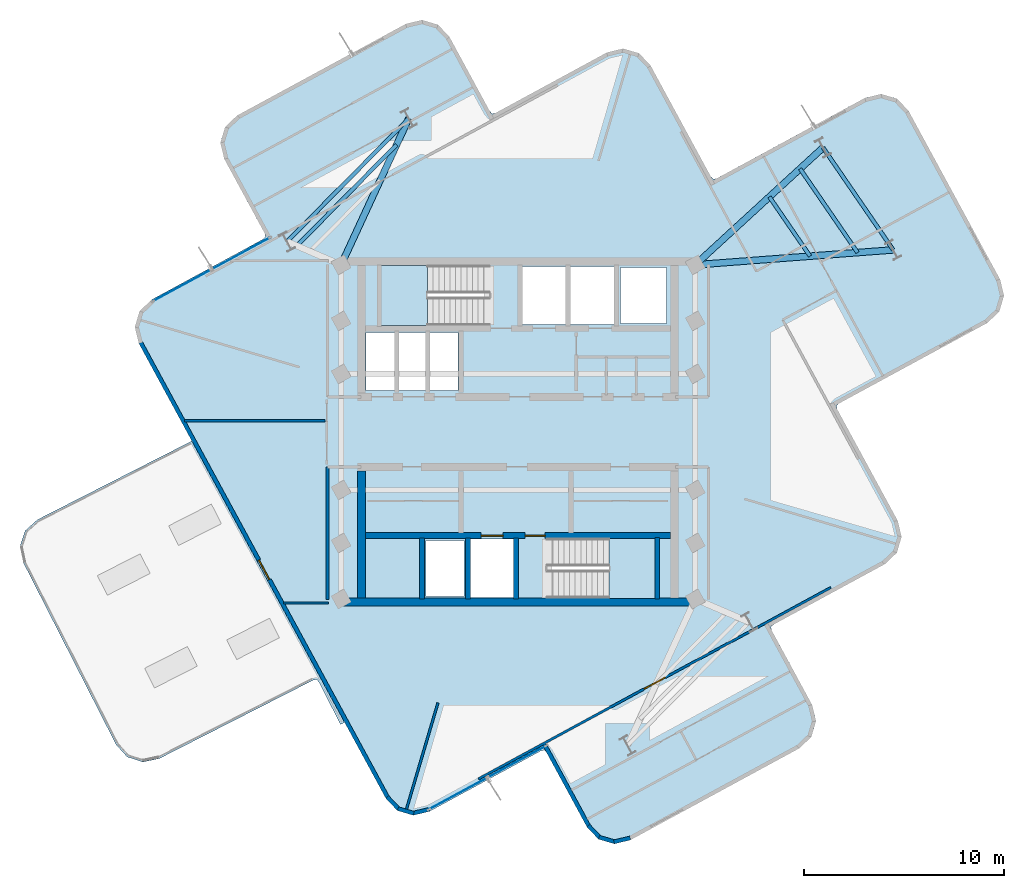
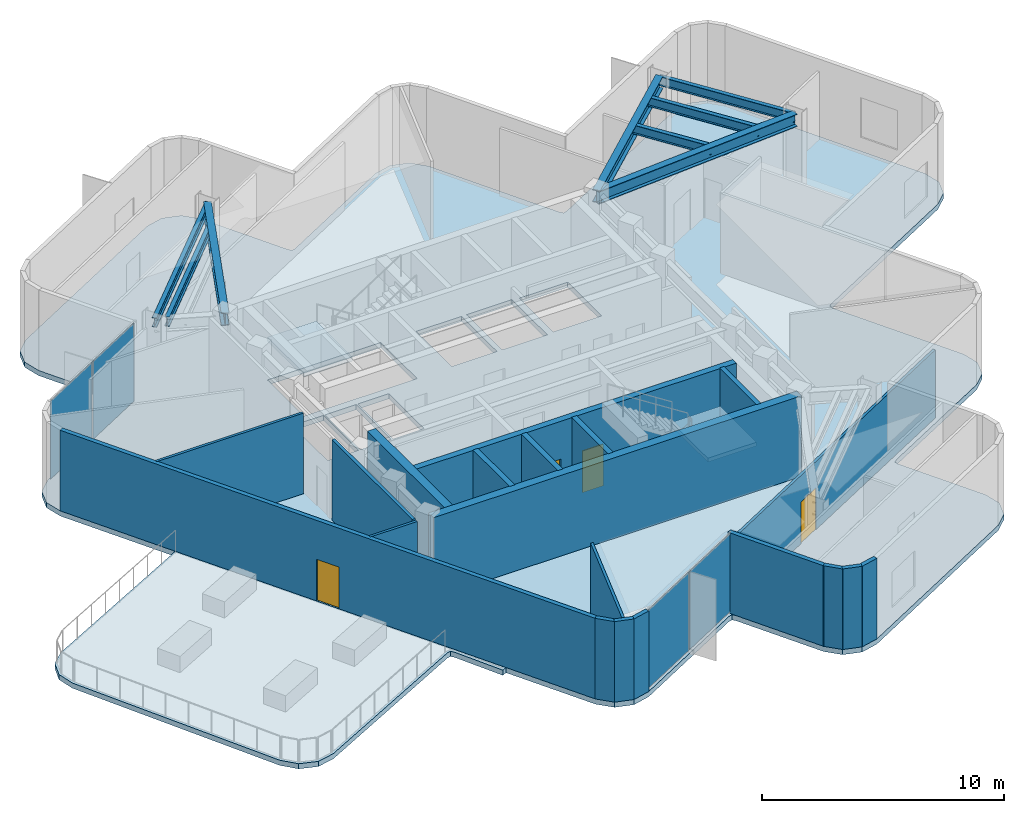
# One storey, part 3 of 10: 20 walls, 8 beams, 4 doors, 4 plates, 4 slabs, 4 openings, 4 elements without a shape of their own.
"""IFC4 building model written with IfcOpenShell, lengths in metres."""

from ifc_helpers import new_model, si_unit, direction, frame, frame_2d, origin, origin_2d, place, context, subcontext, project, spatial, polyline, rectangle, i_section, outline, extrude, material, layer, layer_set, material_profile, profile_set, type_object, element, fill, aggregate, save


model = new_model("IFC4")

# Units and contexts
model_context = context("Model", 3, precision=1e-05, world=origin(), true_north=direction((0.0, 1.0)))
body_context = subcontext(model_context, "Body", "Model", "MODEL_VIEW")
ifc_project = project(units=[si_unit("LENGTHUNIT", "METRE"), si_unit("AREAUNIT", "SQUARE_METRE"), si_unit("VOLUMEUNIT", "CUBIC_METRE"), si_unit("PLANEANGLEUNIT", "RADIAN"), si_unit("MASSUNIT", "GRAM", prefix="KILO")], contexts=[model_context])

# Site, building, storey
site_placement = place(None, origin())
site = spatial("IfcSite", under=ifc_project, at=site_placement, CompositionType="ELEMENT")
building_placement = place(site_placement, origin())
building = spatial("IfcBuilding", under=site, at=building_placement, Name="Solmarez Civic Tower", CompositionType="ELEMENT")
storey_placement = place(building_placement, frame((0.0, 0.0, 200.8798828125)))
storey = spatial("IfcBuildingStorey", under=building, at=storey_placement, Name="L53", CompositionType="ELEMENT", Elevation=200.8798828125)

# Beams
ifc_material_1 = material(Name="Steel S355", Category="steel")
ifc_material_profile_1 = material_profile(ifc_material_1, i_section(OverallWidth=0.19189453125, OverallDepth=0.462890625, WebThickness=0.010498046875, FlangeThickness=0.017578125, at=origin_2d()), Name="W18X60")
ifc_profile_set_1 = profile_set([ifc_material_profile_1], Name="Steel S355")
beam_type_1 = type_object("IfcBeamType", Name="BM-JS-W18X60", PredefinedType="JOIST", material=ifc_profile_set_1)
beam_1_placement = place(storey_placement, frame((18.740966796875, 9.096923828125, 3.828125), z_axis=(-0.565711253315, 0.824603406416, 0.0), x_axis=(-0.824603406416, -0.565711253315, 0.0)))
element("IfcBeam", 1, at=beam_1_placement, inside=storey, type_object=beam_type_1, Name="L53 Secondary Floor Joist BM-L53-EA-T1", PredefinedType="JOIST", context=body_context, shape_type="SweptSolid", body=[
    extrude(i_section(OverallWidth=0.19189453125, OverallDepth=0.462890625, WebThickness=0.010498046875, FlangeThickness=0.017578125, at=origin_2d()), origin(), (0.0, 0.0, 1.0), 6.199462890625),
])
beam_2_placement = place(storey_placement, frame((14.5869140625, 8.782958984375, 3.828125), z_axis=(-0.565666897805, 0.824633834334, 0.0), x_axis=(-0.824633834334, -0.565666897805, 0.0)))
element("IfcBeam", 2, at=beam_2_placement, inside=storey, type_object=beam_type_1, Name="L53 Secondary Floor Joist JS-L53-EA-M11", PredefinedType="JOIST", context=body_context, shape_type="SweptSolid", body=[
    extrude(i_section(OverallWidth=0.19189453125, OverallDepth=0.462890625, WebThickness=0.010498046875, FlangeThickness=0.017578125, at=origin_2d()), origin(), (0.0, 0.0, 1.0), 3.595703125),
])
beam_3_placement = place(storey_placement, frame((16.9609375, 8.962890625, 3.828125), z_axis=(-0.565800880521, 0.824541911367, 0.0), x_axis=(-0.824541911367, -0.565800880521, 0.0)))
element("IfcBeam", 3, at=beam_3_placement, inside=storey, type_object=beam_type_1, Name="L53 Secondary Floor Joist JS-L53-EA-M12", PredefinedType="JOIST", context=body_context, shape_type="SweptSolid", body=[
    extrude(i_section(OverallWidth=0.19189453125, OverallDepth=0.462890625, WebThickness=0.010498046875, FlangeThickness=0.017578125, at=origin_2d()), origin(), (0.0, 0.0, 1.0), 5.0830078125),
])
beam_4_placement = place(storey_placement, frame((-5.468017578125, 15.6708984375, 3.828125), z_axis=(-0.702766092364, -0.711420986072, 0.0), x_axis=(0.711420986072, -0.702766092364, 0.0)))
element("IfcBeam", 4, at=beam_4_placement, inside=storey, type_object=beam_type_1, Name="L53 Secondary Floor Joist BM-L53-NA-T1", PredefinedType="JOIST", context=body_context, shape_type="SweptSolid", body=[
    extrude(i_section(OverallWidth=0.19189453125, OverallDepth=0.462890625, WebThickness=0.010498046875, FlangeThickness=0.017578125, at=origin_2d()), origin(), (0.0, 0.0, 1.0), 8.659912109375),
])
beam_5_placement = place(storey_placement, frame((-6.076904296875, 14.35302734375, 3.828125), z_axis=(-0.702726827997, -0.711459770622, 0.0), x_axis=(0.711459770622, -0.702726827997, 0.0)))
element("IfcBeam", 5, at=beam_5_placement, inside=storey, type_object=beam_type_1, Name="L53 Secondary Floor Joist JS-L53-NA-M12", PredefinedType="JOIST", context=body_context, shape_type="SweptSolid", body=[
    extrude(i_section(OverallWidth=0.19189453125, OverallDepth=0.462890625, WebThickness=0.010498046875, FlangeThickness=0.017578125, at=origin_2d()), origin(), (0.0, 0.0, 1.0), 7.100830078125),
])
ifc_material_profile_2 = material_profile(ifc_material_1, i_section(OverallWidth=0.327880859375, OverallDepth=0.6220703125, WebThickness=0.015380859375, FlangeThickness=0.0244140625, at=origin_2d()), Name="W24X131")
ifc_profile_set_2 = profile_set([ifc_material_profile_2], Name="Steel S355")
beam_type_2 = type_object("IfcBeamType", Name="BM-PR-W24X131", PredefinedType="BEAM", material=ifc_profile_set_2)
beam_6_placement = place(storey_placement, frame((8.85009765625, 8.35009765625, 3.7490234375), z_axis=(0.997161506076, 0.075292302399, 0.0), x_axis=(-0.075292302399, 0.997161506076, 0.0)))
element("IfcBeam", 6, at=beam_6_placement, inside=storey, type_object=beam_type_2, Name="L53 Primary Floor Beam BM-L53-EA-R1A", PredefinedType="BEAM", context=body_context, shape_type="SweptSolid", body=[
    extrude(i_section(OverallWidth=0.327880859375, OverallDepth=0.6220703125, WebThickness=0.015380859375, FlangeThickness=0.0244140625, at=origin_2d()), origin(), (0.0, 0.0, 1.0), 9.9189453125),
])
beam_7_placement = place(storey_placement, frame((8.85009765625, 8.35009765625, 3.7490234375), z_axis=(0.736746995662, 0.676168517741, 0.0), x_axis=(-0.676168517741, 0.736746995662, 0.0)))
element("IfcBeam", 7, at=beam_7_placement, inside=storey, type_object=beam_type_2, Name="L53 Primary Floor Beam BM-L53-EA-R1B", PredefinedType="BEAM", context=body_context, shape_type="SweptSolid", body=[
    extrude(i_section(OverallWidth=0.327880859375, OverallDepth=0.6220703125, WebThickness=0.015380859375, FlangeThickness=0.0244140625, at=origin_2d()), origin(), (0.0, 0.0, 1.0), 8.664794921875),
])
beam_8_placement = place(storey_placement, frame((-8.85009765625, 8.35009765625, 3.7490234375), z_axis=(0.419390280967, 0.907806032273, 0.0), x_axis=(-0.907806032273, 0.419390280967, 0.0)))
element("IfcBeam", 8, at=beam_8_placement, inside=storey, type_object=beam_type_2, Name="L53 Primary Floor Beam BM-L53-NA-R1A", PredefinedType="BEAM", context=body_context, shape_type="SweptSolid", body=[
    extrude(i_section(OverallWidth=0.327880859375, OverallDepth=0.6220703125, WebThickness=0.015380859375, FlangeThickness=0.0244140625, at=origin_2d()), origin(), (0.0, 0.0, 1.0), 8.064208984375),
])

# Curtain wall, plates
ifc_material_2 = material(Name="Bronze Anodised Aluminium EN AW-6063 T6", Category="aluminium")
ifc_layer_1 = layer(ifc_material_2, 0.2099609375)
ifc_layer_set_1 = layer_set([ifc_layer_1], Name="Bronze Anodised Aluminium EN AW-6063 T6")
curtain_wall_type = type_object("IfcCurtainWallType", Name="CW-SYS-5", PredefinedType="NOTDEFINED", material=ifc_layer_set_1)
curtain_wall_1_placement = place(storey_placement, origin())
curtain_wall_1 = element("IfcCurtainWall", 9, at=curtain_wall_1_placement, inside=storey, type_object=curtain_wall_type, Name="L53 Stick-Built Curtain Wall 1", PredefinedType="NOTDEFINED")
ifc_material_3 = material(Name="Solar Control Low-E Laminated Vision Glass", Category="glass")
ifc_layer_2 = layer(ifc_material_3, 0.028076171875)
ifc_layer_set_2 = layer_set([ifc_layer_2], Name="Solar Control Low-E Laminated Vision Glass")
plate_type = type_object("IfcPlateType", Name="CWP-GLAZ-28", PredefinedType="CURTAIN_PANEL", material=ifc_layer_set_2)
plate_1_placement = place(storey_placement, frame((-0.069580078125, -16.480224609375, 0.06494140625), z_axis=(0.0, 0.0, 1.0), x_axis=(-0.878784114584, -0.477219530148, 0.0)))
plate_1 = element("IfcPlate", 10, at=plate_1_placement, type_object=plate_type, Name="CWS5 panel 1.1", PredefinedType="CURTAIN_PANEL", context=body_context, shape_type="SweptSolid", body=[
    extrude(rectangle(XDim=3.258056640625, YDim=0.028076171875, at=origin_2d()), origin(), (0.0, 0.0, 1.0), 3.929931640625),
])
plate_2_placement = place(storey_placement, frame((-2.99853515625, -18.07080078125, 0.06494140625), z_axis=(0.0, 0.0, 1.0), x_axis=(-0.878784114584, -0.477219530148, 0.0)))
plate_2 = element("IfcPlate", 11, at=plate_2_placement, type_object=plate_type, Name="CWS5 panel 2.1", PredefinedType="CURTAIN_PANEL", context=body_context, shape_type="SweptSolid", body=[
    extrude(rectangle(XDim=3.258056640625, YDim=0.028076171875, at=origin_2d()), origin(), (0.0, 0.0, 1.0), 3.929931640625),
])
aggregate(curtain_wall_1, [plate_1, plate_2])

curtain_wall_2_placement = place(storey_placement, origin())
curtain_wall_2 = element("IfcCurtainWall", 12, at=curtain_wall_2_placement, inside=storey, type_object=curtain_wall_type, Name="L53 Stick-Built Curtain Wall 2", PredefinedType="NOTDEFINED")
plate_3_placement = place(storey_placement, frame((-16.788330078125, 7.3271484375, 0.06494140625), z_axis=(0.0, 0.0, 1.0), x_axis=(0.878817891395, 0.47715732601, 0.0)))
plate_3 = element("IfcPlate", 13, at=plate_3_placement, type_object=plate_type, Name="CWS5 panel 1.1", PredefinedType="CURTAIN_PANEL", context=body_context, shape_type="SweptSolid", body=[
    extrude(rectangle(XDim=3.258544921875, YDim=0.028076171875, at=origin_2d()), origin(), (0.0, 0.0, 1.0), 3.929931640625),
])
plate_4_placement = place(storey_placement, frame((-13.858642578125, 8.917724609375, 0.06494140625), z_axis=(0.0, 0.0, 1.0), x_axis=(0.878817891395, 0.47715732601, 0.0)))
plate_4 = element("IfcPlate", 14, at=plate_4_placement, type_object=plate_type, Name="CWS5 panel 2.1", PredefinedType="CURTAIN_PANEL", context=body_context, shape_type="SweptSolid", body=[
    extrude(rectangle(XDim=3.258544921875, YDim=0.028076171875, at=origin_2d()), origin(), (0.0, 0.0, 1.0), 3.929931640625),
])
aggregate(curtain_wall_2, [plate_3, plate_4])

# Stair, slab
ifc_material_4 = material(Name="Concrete C50/60", Category="concrete")
stair_type = type_object("IfcStairType", Name="STAIR-DOGLEG-140W-24R-1800", PredefinedType="HALF_TURN_STAIR", material=ifc_material_4)
stair_1_placement = place(storey_placement, origin())
stair_1 = element("IfcStair", 15, at=stair_1_placement, inside=storey, type_object=stair_type, Name="L53 North Core Protected Exit Stair ST-1", PredefinedType="HALF_TURN_STAIR")
ifc_layer_3 = layer(ifc_material_4, 0.199951171875)
ifc_layer_set_3 = layer_set([ifc_layer_3], Name="Concrete C50/60")
slab_type_1 = type_object("IfcSlabType", Name="SLAB-LANDING-200", PredefinedType="LANDING", material=ifc_layer_set_3)
slab_1_placement = place(storey_placement, frame((0.0, 0.0, 1.960205078125)))
slab_1 = element("IfcSlab", 16, at=slab_1_placement, type_object=slab_type_1, Name="ST-1 landing 1", PredefinedType="LANDING", context=body_context, shape_type="SweptSolid", body=[
    extrude(outline(polyline([(-4.530029296875, 8.320068359375), (-6.85009765625, 8.320068359375), (-6.85009765625, 5.320068359375), (-4.530029296875, 5.320068359375), (-4.530029296875, 8.320068359375)])), origin(), (0.0, 0.0, 1.0), 0.199951171875),
])
aggregate(stair_1, [slab_1])

stair_2_placement = place(storey_placement, origin())
stair_2 = element("IfcStair", 17, at=stair_2_placement, inside=storey, type_object=stair_type, Name="L53 South Core Protected Exit Stair ST-2", PredefinedType="HALF_TURN_STAIR")
slab_2_placement = place(storey_placement, frame((0.0, 0.0, 1.960205078125)))
slab_2 = element("IfcSlab", 18, at=slab_2_placement, type_object=slab_type_1, Name="ST-2 landing 1", PredefinedType="LANDING", context=body_context, shape_type="SweptSolid", body=[
    extrude(outline(polyline([(4.530029296875, -8.320068359375), (6.85009765625, -8.320068359375), (6.85009765625, -5.320068359375), (4.530029296875, -5.320068359375), (4.530029296875, -8.320068359375)])), origin(), (0.0, 0.0, 1.0), 0.199951171875),
])
aggregate(stair_2, [slab_2])

# Slabs
ifc_layer_4 = layer(ifc_material_4, 0.260009765625)
ifc_layer_set_4 = layer_set([ifc_layer_4], Name="Concrete C50/60")
slab_type_2 = type_object("IfcSlabType", Name="SLAB-TOWER-260", PredefinedType="FLOOR", material=ifc_layer_set_4)
slab_3_placement = place(storey_placement, frame((0.0, 0.0, -0.259765625)))
element("IfcSlab", 19, at=slab_3_placement, inside=storey, type_object=slab_type_2, Name="L53 Structural Slab", PredefinedType="FLOOR", context=body_context, shape_type="SweptSolid", body=[
    extrude(outline(polyline([(1.4189453125, -16.02587890625), (3.44189453125, -19.7509765625), (4.011962890625, -20.35205078125), (4.805908203125, -20.5869140625), (5.611083984375, -20.39404296875), (14.048095703125, -15.81298828125), (14.64892578125, -15.242919921875), (14.884033203125, -14.448974609375), (14.68994140625, -13.64404296875), (12.66796875, -9.91796875), (12.626953125, -9.7509765625), (12.751953125, -9.632080078125), (18.322998046875, -6.60791015625), (18.924072265625, -6.037109375), (19.158935546875, -5.242919921875), (18.966064453125, -4.43798828125), (15.94091796875, 1.133056640625), (15.90087890625, 1.300048828125), (16.02587890625, 1.4189453125), (23.44189453125, 5.446044921875), (24.04296875, 6.01611328125), (24.278076171875, 6.81005859375), (24.0849609375, 7.614990234375), (19.50390625, 16.052001953125), (18.93408203125, 16.653076171875), (18.139892578125, 16.887939453125), (17.3349609375, 16.695068359375), (9.91796875, 12.66796875), (9.7509765625, 12.626953125), (9.632080078125, 12.751953125), (6.60791015625, 18.322998046875), (6.037109375, 18.924072265625), (5.242919921875, 19.158935546875), (4.43798828125, 18.966064453125), (-1.133056640625, 15.94091796875), (-1.300048828125, 15.90087890625), (-1.4189453125, 16.02587890625), (-3.44189453125, 19.7509765625), (-4.011962890625, 20.35205078125), (-4.805908203125, 20.5869140625), (-5.611083984375, 20.39404296875), (-14.048095703125, 15.81298828125), (-14.64892578125, 15.242919921875), (-14.884033203125, 14.448974609375), (-14.68994140625, 13.64404296875), (-12.66796875, 9.91796875), (-12.626953125, 9.7509765625), (-12.751953125, 9.632080078125), (-18.322998046875, 6.60791015625), (-18.924072265625, 6.037109375), (-19.158935546875, 5.242919921875), (-18.966064453125, 4.43798828125), (-6.60791015625, -18.322998046875), (-6.037109375, -18.924072265625), (-5.242919921875, -19.158935546875), (-4.43798828125, -18.966064453125), (1.133056640625, -15.94091796875), (1.300048828125, -15.90087890625), (1.4189453125, -16.02587890625)]), holes=[polyline([(-1.449951171875, 8.320068359375), (-6.85009765625, 8.320068359375), (-6.85009765625, 5.320068359375), (-1.449951171875, 5.320068359375), (-1.449951171875, 8.320068359375)]), polyline([(1.449951171875, -8.320068359375), (6.85009765625, -8.320068359375), (6.85009765625, -5.320068359375), (1.449951171875, -5.320068359375), (1.449951171875, -8.320068359375)]), polyline([(0.219970703125, 5.360107421875), (2.3798828125, 5.360107421875), (2.3798828125, 8.280029296875), (0.219970703125, 8.280029296875), (0.219970703125, 5.360107421875)]), polyline([(2.6201171875, 5.360107421875), (4.780029296875, 5.360107421875), (4.780029296875, 8.280029296875), (2.6201171875, 8.280029296875), (2.6201171875, 5.360107421875)]), polyline([(-2.3798828125, -8.280029296875), (-0.219970703125, -8.280029296875), (-0.219970703125, -5.360107421875), (-2.3798828125, -5.360107421875), (-2.3798828125, -8.280029296875)]), polyline([(-7.60009765625, 2.06005859375), (-6.1201171875, 2.06005859375), (-6.1201171875, 4.9599609375), (-7.60009765625, 4.9599609375), (-7.60009765625, 2.06005859375)]), polyline([(-6.0400390625, 2.06005859375), (-4.56005859375, 2.06005859375), (-4.56005859375, 4.9599609375), (-6.0400390625, 4.9599609375), (-6.0400390625, 2.06005859375)]), polyline([(-4.47998046875, 2.06005859375), (-3.0, 2.06005859375), (-3.0, 4.9599609375), (-4.47998046875, 4.9599609375), (-4.47998046875, 2.06005859375)]), polyline([(5.10009765625, 5.419921875), (7.39990234375, 5.419921875), (7.39990234375, 8.219970703125), (5.10009765625, 8.219970703125), (5.10009765625, 5.419921875)]), polyline([(-4.60009765625, -8.219970703125), (-2.699951171875, -8.219970703125), (-2.699951171875, -5.419921875), (-4.60009765625, -5.419921875), (-4.60009765625, -8.219970703125)])]), origin(), (0.0, 0.0, 1.0), 0.259765625),
])
slab_4_placement = place(storey_placement, frame((0.0, 0.0, -0.259765625)))
element("IfcSlab", 20, at=slab_4_placement, inside=storey, type_object=slab_type_2, Name="L53 West-Arm Public Botanical Sky Garden Deck", PredefinedType="FLOOR", context=body_context, shape_type="SweptSolid", body=[
    extrude(outline(polyline([(-10.24609375, -12.404052734375), (-10.077880859375, -12.367919921875), (-9.962890625, -12.49609375), (-8.8779296875, -14.625), (-8.674072265625, -14.52099609375), (-16.31396484375, -0.449951171875), (-16.330078125, -0.464111328125), (-24.027099609375, -4.385986328125), (-24.64306640625, -4.94091796875), (-24.89892578125, -5.72802734375), (-24.72705078125, -6.5380859375), (-20.095947265625, -15.626953125), (-19.5419921875, -16.241943359375), (-18.75390625, -16.498046875), (-17.944091796875, -16.325927734375), (-10.24609375, -12.404052734375)])), origin(), (0.0, 0.0, 1.0), 0.259765625),
])

# Walls
ifc_layer_5 = layer(ifc_material_4, 0.39990234375)
ifc_layer_set_5 = layer_set([ifc_layer_5], Name="Concrete C50/60")
wall_type_1 = type_object("IfcWallType", Name="WALL-CORE-400", PredefinedType="SHEAR", material=ifc_layer_set_5)
wall_1_placement = place(storey_placement, frame((8.780029296875, -8.510009765625, 0.0), z_axis=(0.0, 0.0, 1.0), x_axis=(-1.0, 0.0, 0.0)))
element("IfcWall", 21, at=wall_1_placement, inside=storey, type_object=wall_type_1, Name="L53 Split-Core Structural Wall SCW-S-L53", PredefinedType="SHEAR", context=body_context, shape_type="SweptSolid", body=[
    extrude(rectangle(XDim=17.56005859375, YDim=0.39990234375, at=frame_2d((8.780029296875, 0.0))), origin(), (0.0, 0.0, 1.0), 4.06005859375),
])
wall_2_placement = place(storey_placement, frame((-7.820068359375, -8.31005859375, 0.0), z_axis=(0.0, 0.0, 1.0), x_axis=(0.0, 1.0, 0.0)))
element("IfcWall", 22, at=wall_2_placement, inside=storey, type_object=wall_type_1, Name="L53 Split-Core Structural Wall SCW-W-L53", PredefinedType="SHEAR", context=body_context, shape_type="SweptSolid", body=[
    extrude(rectangle(XDim=6.360107421875, YDim=0.39990234375, at=frame_2d((3.18017578125, 0.0))), origin(), (0.0, 0.0, 1.0), 4.06005859375),
])
ifc_material_5 = material(Name="Precast concrete C40/50", Category="concrete")
ifc_layer_6 = layer(ifc_material_5, 0.199951171875)
ifc_layer_set_6 = layer_set([ifc_layer_6], Name="Precast concrete C40/50")
wall_type_2 = type_object("IfcWallType", Name="WALL-EXT-200", PredefinedType="SOLIDWALL", material=ifc_layer_set_6)
wall_3_placement = place(storey_placement, frame((-4.449951171875, -18.865966796875, 0.0), z_axis=(0.0, 0.0, 1.0), x_axis=(-0.972262900219, -0.233890685703, 0.0)))
element("IfcWall", 23, at=wall_3_placement, inside=storey, type_object=wall_type_2, Name="L53 Exterior Precast Wall 3", PredefinedType="SOLIDWALL", context=body_context, shape_type="SweptSolid", body=[
    extrude(rectangle(XDim=0.838134765625, YDim=0.199951171875, at=frame_2d((0.4189453125, 0.0))), origin(), (0.0, 0.0, 1.0), 4.06005859375),
])
wall_4_placement = place(storey_placement, frame((-5.217041015625, -19.06298828125, 0.0), z_axis=(0.0, 0.0, 1.0), x_axis=(-0.958863850972, 0.283866368736, 0.0)))
element("IfcWall", 24, at=wall_4_placement, inside=storey, type_object=wall_type_2, Name="L53 Exterior Precast Wall 4", PredefinedType="SOLIDWALL", context=body_context, shape_type="SweptSolid", body=[
    extrude(rectangle(XDim=0.823974609375, YDim=0.199951171875, at=frame_2d((0.412109375, 0.0))), origin(), (0.0, 0.0, 1.0), 4.06005859375),
])
wall_5_placement = place(storey_placement, frame((-5.966064453125, -18.85400390625, 0.0), z_axis=(0.0, 0.0, 1.0), x_axis=(-0.688366566384, 0.725362992084, 0.0)))
element("IfcWall", 25, at=wall_5_placement, inside=storey, type_object=wall_type_2, Name="L53 Exterior Precast Wall 5", PredefinedType="SOLIDWALL", context=body_context, shape_type="SweptSolid", body=[
    extrude(rectangle(XDim=0.838134765625, YDim=0.199951171875, at=frame_2d((0.4189453125, 0.0))), origin(), (0.0, 0.0, 1.0), 4.06005859375),
])

# Wall, opening, door
wall_6_placement = place(storey_placement, frame((-6.513916015625, -18.285888671875, 0.0), z_axis=(0.0, 0.0, 1.0), x_axis=(-0.477173953596, 0.878808863183, 0.0)))
wall_6 = element("IfcWall", 26, at=wall_6_placement, inside=storey, type_object=wall_type_2, Name="L53 Exterior Precast Wall 6", PredefinedType="SOLIDWALL", context=body_context, shape_type="SweptSolid", body=[
    extrude(rectangle(XDim=25.923583984375, YDim=0.199951171875, at=frame_2d((12.9619140625, 0.0))), origin(), (0.0, 0.0, 1.0), 4.06005859375),
])
opening_1_placement = place(wall_6_placement, frame((12.412109375, 0.0, 0.0)))
opening_1 = element("IfcOpeningElement", 27, at=opening_1_placement, cuts=wall_6, Name="Opening D-06", PredefinedType="OPENING", context=body_context, shape_type="SweptSolid", body=[
    extrude(rectangle(XDim=1.10009765625, YDim=2.10009765625, at=frame_2d((0.550048828125, 1.050048828125))), frame((0.0, 0.10986328125, 0.0), z_axis=(0.0, -1.0, 0.0), x_axis=(1.0, 0.0, 0.0)), (0.0, 0.0, 1.0), 0.219970703125),
])
ifc_material_6 = material(Name="Bronze Anodised Aluminium Glazed Terrace Door", Category="aluminium")
door_type_1 = type_object("IfcDoorType", Name="DOOR-TERR-1100", OperationType="NOTDEFINED", PredefinedType="DOOR", material=ifc_material_6)
door_1_placement = place(opening_1_placement, origin())
door_1 = element("IfcDoor", 28, at=door_1_placement, inside=storey, type_object=door_type_1, Name="L53 Outdoor Terrace Glazed Door", OperationType="SINGLE_SWING_RIGHT", OverallHeight=2.10009765625, OverallWidth=1.10009765625, PredefinedType="DOOR", context=body_context, shape_type="SweptSolid", body=[
    extrude(rectangle(XDim=1.10009765625, YDim=2.10009765625, at=frame_2d((0.550048828125, 1.050048828125))), frame((0.0, 0.02490234375, 0.0), z_axis=(0.0, -1.0, 0.0), x_axis=(1.0, 0.0, 0.0)), (0.0, 0.0, 1.0), 0.050048828125),
])
fill(opening_1, door_1)

# Walls
wall_7_placement = place(storey_placement, frame((5.59912109375, -20.2939453125, 0.0), z_axis=(0.0, 0.0, 1.0), x_axis=(-0.972215037407, -0.234089557733, 0.0)))
element("IfcWall", 29, at=wall_7_placement, inside=storey, type_object=wall_type_2, Name="L53 Exterior Precast Wall 54", PredefinedType="SOLIDWALL", context=body_context, shape_type="SweptSolid", body=[
    extrude(rectangle(XDim=0.83740234375, YDim=0.199951171875, at=frame_2d((0.418701171875, 0.0))), origin(), (0.0, 0.0, 1.0), 4.06005859375),
])
wall_8_placement = place(storey_placement, frame((4.8330078125, -20.490966796875, 0.0), z_axis=(0.0, 0.0, 1.0), x_axis=(-0.958959195641, 0.283544107847, 0.0)))
element("IfcWall", 30, at=wall_8_placement, inside=storey, type_object=wall_type_2, Name="L53 Exterior Precast Wall 55", PredefinedType="SOLIDWALL", context=body_context, shape_type="SweptSolid", body=[
    extrude(rectangle(XDim=0.824951171875, YDim=0.199951171875, at=frame_2d((0.41259765625, 0.0))), origin(), (0.0, 0.0, 1.0), 4.06005859375),
])
wall_9_placement = place(storey_placement, frame((4.0830078125, -20.281982421875, 0.0), z_axis=(0.0, 0.0, 1.0), x_axis=(-0.688366566384, 0.725362992084, 0.0)))
element("IfcWall", 31, at=wall_9_placement, inside=storey, type_object=wall_type_2, Name="L53 Exterior Precast Wall 56", PredefinedType="SOLIDWALL", context=body_context, shape_type="SweptSolid", body=[
    extrude(rectangle(XDim=0.838134765625, YDim=0.199951171875, at=frame_2d((0.4189453125, 0.0))), origin(), (0.0, 0.0, 1.0), 4.06005859375),
])
wall_10_placement = place(storey_placement, frame((3.534912109375, -19.714111328125, 0.0), z_axis=(0.0, 0.0, 1.0), x_axis=(-0.477170791431, 0.878810580162, 0.0)))
element("IfcWall", 32, at=wall_10_placement, inside=storey, type_object=wall_type_2, Name="L53 Exterior Precast Wall 57", PredefinedType="SOLIDWALL", context=body_context, shape_type="SweptSolid", body=[
    extrude(rectangle(XDim=4.6416015625, YDim=0.199951171875, at=frame_2d((2.32080078125, 0.0))), origin(), (0.0, 0.0, 1.0), 4.06005859375),
])
ifc_material_7 = material(Name="Gypsum Board Acoustic Steel-Stud Partition", Category="steel")
ifc_layer_7 = layer(ifc_material_7, 0.14990234375)
ifc_layer_set_7 = layer_set([ifc_layer_7], Name="Gypsum Board Acoustic Steel-Stud Partition")
wall_type_3 = type_object("IfcWallType", Name="WALL-INT-FIRE-150", PredefinedType="PARTITIONING", material=ifc_layer_set_7)
wall_11_placement = place(storey_placement, frame((-9.52001953125, -8.3798828125, 0.0), z_axis=(0.0, 0.0, 1.0), x_axis=(0.0, 1.0, 0.0)))
element("IfcWall", 33, at=wall_11_placement, inside=storey, type_object=wall_type_3, Name="L53 Interior Partition CHW-L53-WS1", PredefinedType="PARTITIONING", context=body_context, shape_type="SweptSolid", body=[
    extrude(rectangle(XDim=6.6298828125, YDim=0.14990234375, at=frame_2d((3.31494140625, 0.0))), origin(), (0.0, 0.0, 1.0), 4.06005859375),
])
ifc_layer_8 = layer(ifc_material_7, 0.1201171875)
ifc_layer_set_8 = layer_set([ifc_layer_8], Name="Gypsum Board Acoustic Steel-Stud Partition")
wall_type_4 = type_object("IfcWallType", Name="WALL-INT-PART-120", PredefinedType="PARTITIONING", material=ifc_layer_set_8)
wall_12_placement = place(storey_placement, frame((-16.6669921875, 0.550048828125, 0.0), z_axis=(0.0, 0.0, 1.0), x_axis=(1.0, 0.0, 0.0)))
element("IfcWall", 34, at=wall_12_placement, inside=storey, type_object=wall_type_4, Name="L53 Interior Partition PT-L53-WH-DIV", PredefinedType="PARTITIONING", context=body_context, shape_type="SweptSolid", body=[
    extrude(rectangle(XDim=7.007080078125, YDim=0.1201171875, at=frame_2d((3.50341796875, 0.0))), origin(), (0.0, 0.0, 1.0), 4.06005859375),
])
wall_13_placement = place(storey_placement, frame((-11.72607421875, -8.550048828125, 0.0), z_axis=(0.0, 0.0, 1.0), x_axis=(1.0, 0.0, 0.0)))
element("IfcWall", 35, at=wall_13_placement, inside=storey, type_object=wall_type_4, Name="L53 Interior Partition PT-L53-WH-BS", PredefinedType="PARTITIONING", context=body_context, shape_type="SweptSolid", body=[
    extrude(rectangle(XDim=2.24609375, YDim=0.1201171875, at=frame_2d((1.123046875, 0.0))), origin(), (0.0, 0.0, 1.0), 4.06005859375),
])
wall_14_placement = place(storey_placement, frame((-4.010986328125, -13.5400390625, 0.0), z_axis=(0.0, 0.0, 1.0), x_axis=(-0.283861614282, -0.958865258489, 0.0)))
element("IfcWall", 36, at=wall_14_placement, inside=storey, type_object=wall_type_4, Name="L53 Interior Partition PT-L53-QDIV-3", PredefinedType="PARTITIONING", context=body_context, shape_type="SweptSolid", body=[
    extrude(rectangle(XDim=5.5732421875, YDim=0.1201171875, at=frame_2d((2.78662109375, 0.0))), origin(), (0.0, 0.0, 1.0), 4.06005859375),
])

# Wall, opening, door
wall_15_placement = place(storey_placement, frame((15.6240234375, -7.777099609375, 0.0), z_axis=(0.0, 0.0, 1.0), x_axis=(-0.878797236248, -0.477195366242, 0.0)))
wall_15 = element("IfcWall", 37, at=wall_15_placement, inside=storey, type_object=wall_type_4, Name="L53 Interior Partition PT-L53-S-ENT", PredefinedType="PARTITIONING", context=body_context, shape_type="SweptSolid", body=[
    extrude(rectangle(XDim=20.0400390625, YDim=0.1201171875, at=frame_2d((10.02001953125, 0.0))), origin(), (0.0, 0.0, 1.0), 3.43017578125),
])
opening_2_placement = place(wall_15_placement, frame((9.4189453125, 0.0, 0.0)))
opening_2 = element("IfcOpeningElement", 38, at=opening_2_placement, cuts=wall_15, Name="Opening D-11", PredefinedType="OPENING", context=body_context, shape_type="SweptSolid", body=[
    extrude(rectangle(XDim=1.199951171875, YDim=2.10009765625, at=frame_2d((0.60009765625, 1.050048828125))), frame((0.0, 0.070068359375, 0.0), z_axis=(0.0, -1.0, 0.0), x_axis=(1.0, 0.0, 0.0)), (0.0, 0.0, 1.0), 0.14013671875),
])
ifc_material_8 = material(Name="Glazed-Vision Acoustic Chamber Door", Category="wood")
door_type_2 = type_object("IfcDoorType", Name="DOOR-INT-1200", OperationType="NOTDEFINED", PredefinedType="DOOR", material=ifc_material_8)
door_2_placement = place(opening_2_placement, origin())
door_2 = element("IfcDoor", 39, at=door_2_placement, inside=storey, type_object=door_type_2, Name="L53 Security Control Room First South Door", OperationType="SINGLE_SWING_LEFT", OverallHeight=2.10009765625, OverallWidth=1.199951171875, PredefinedType="DOOR", context=body_context, shape_type="SweptSolid", body=[
    extrude(rectangle(XDim=1.199951171875, YDim=2.10009765625, at=frame_2d((0.60009765625, 1.050048828125))), frame((0.0, 0.02490234375, 0.0), z_axis=(0.0, -1.0, 0.0), x_axis=(1.0, 0.0, 0.0)), (0.0, 0.0, 1.0), 0.050048828125),
])
fill(opening_2, door_2)

# Wall, openings, doors
ifc_layer_9 = layer(ifc_material_4, 0.300048828125)
ifc_layer_set_9 = layer_set([ifc_layer_9], Name="Concrete C50/60")
wall_type_5 = type_object("IfcWallType", Name="WALL-STR-300", PredefinedType="SOLIDWALL", material=ifc_layer_set_9)
wall_16_placement = place(storey_placement, frame((-7.6201171875, -5.179931640625, 0.0), z_axis=(0.0, 0.0, 1.0), x_axis=(1.0, 0.0, 0.0)))
wall_16 = element("IfcWall", 40, at=wall_16_placement, inside=storey, type_object=wall_type_5, Name="L53 Split-Core Structural Wall SCW-M-L53", PredefinedType="SOLIDWALL", context=body_context, shape_type="SweptSolid", body=[
    extrude(rectangle(XDim=15.240234375, YDim=0.300048828125, at=frame_2d((7.6201171875, 0.0))), origin(), (0.0, 0.0, 1.0), 4.06005859375),
])
opening_3_placement = place(wall_16_placement, frame((5.77001953125, 0.0, 0.0)))
opening_3 = element("IfcOpeningElement", 41, at=opening_3_placement, cuts=wall_16, Name="Opening LD-02", PredefinedType="OPENING", context=body_context, shape_type="SweptSolid", body=[
    extrude(rectangle(XDim=1.10009765625, YDim=2.14990234375, at=frame_2d((0.550048828125, 1.074951171875))), frame((0.0, 0.159912109375, 0.0), z_axis=(0.0, -1.0, 0.0), x_axis=(1.0, 0.0, 0.0)), (0.0, 0.0, 1.0), 0.320068359375),
])
opening_4_placement = place(wall_16_placement, frame((7.969970703125, 0.0, 0.0)))
opening_4 = element("IfcOpeningElement", 42, at=opening_4_placement, cuts=wall_16, Name="Opening D-05", PredefinedType="OPENING", context=body_context, shape_type="SweptSolid", body=[
    extrude(rectangle(XDim=1.0, YDim=2.10009765625, at=frame_2d((0.5, 1.050048828125))), frame((0.0, 0.159912109375, 0.0), z_axis=(0.0, -1.0, 0.0), x_axis=(1.0, 0.0, 0.0)), (0.0, 0.0, 1.0), 0.320068359375),
])
ifc_material_9 = material(Name="Fire-Rated Stairwell Exit Door", Category="wood")
door_type_3 = type_object("IfcDoorType", Name="DOOR-FD90-1000", OperationType="NOTDEFINED", PredefinedType="DOOR", material=ifc_material_9)
door_3_placement = place(opening_4_placement, origin())
door_3 = element("IfcDoor", 43, at=door_3_placement, inside=storey, type_object=door_type_3, Name="L53 South Exit Stair Door ST-2", OperationType="SINGLE_SWING_LEFT", OverallHeight=2.10009765625, OverallWidth=1.0, PredefinedType="DOOR", context=body_context, shape_type="SweptSolid", body=[
    extrude(rectangle(XDim=1.0, YDim=2.10009765625, at=frame_2d((0.5, 1.050048828125))), frame((0.0, 0.02490234375, 0.0), z_axis=(0.0, -1.0, 0.0), x_axis=(1.0, 0.0, 0.0)), (0.0, 0.0, 1.0), 0.050048828125),
])
fill(opening_4, door_3)
ifc_material_10 = material(Name="Stainless Firefighting Lift Landing Sliding Door", Category="aluminium")
door_type_4 = type_object("IfcDoorType", Name="DOOR-LD-FF-1100", OperationType="DOUBLE_DOOR_SLIDING", PredefinedType="DOOR", material=ifc_material_10)
door_4_placement = place(opening_3_placement, origin())
door_4 = element("IfcDoor", 44, at=door_4_placement, inside=storey, type_object=door_type_4, Name="L53 Firefighting Lift Landing Door FFL-2", OperationType="DOUBLE_DOOR_SLIDING", OverallHeight=2.14990234375, OverallWidth=1.10009765625, PredefinedType="DOOR", context=body_context, shape_type="SweptSolid", body=[
    extrude(rectangle(XDim=1.10009765625, YDim=2.14990234375, at=frame_2d((0.550048828125, 1.074951171875))), frame((0.0, 0.02490234375, 0.0), z_axis=(0.0, -1.0, 0.0), x_axis=(1.0, 0.0, 0.0)), (0.0, 0.0, 1.0), 0.050048828125),
])
fill(opening_3, door_4)

# Walls
wall_17_placement = place(storey_placement, frame((6.949951171875, -8.340087890625, 0.0), z_axis=(0.0, 0.0, 1.0), x_axis=(0.0, 1.0, 0.0)))
element("IfcWall", 45, at=wall_17_placement, inside=storey, type_object=wall_type_5, Name="L53 Split-Core Structural Wall SHW-SE-L53", PredefinedType="SOLIDWALL", context=body_context, shape_type="SweptSolid", body=[
    extrude(rectangle(XDim=3.06005859375, YDim=0.219970703125, at=frame_2d((1.530029296875, 0.0))), origin(), (0.0, 0.0, 1.0), 4.06005859375),
])
for number, where, z_axis, x_axis, name in (
    (46, (-0.10009765625, -8.340087890625, 0.0), (0.0, 0.0, 1.0), (0.0, 1.0, 0.0), "L53 Split-Core Structural Wall SHW-S1-L53"),
    (47, (-2.5, -8.340087890625, 0.0), (0.0, 0.0, 1.0), (0.0, 1.0, 0.0), "L53 Split-Core Structural Wall SHW-S2-L53"),
    (48, (-4.800048828125, -8.340087890625, 0.0), (0.0, 0.0, 1.0), (0.0, 1.0, 0.0), "L53 Split-Core Structural Wall SHW-S3-L53"),
):
    element("IfcWall", number, at=place(storey_placement, frame(where, z_axis=z_axis, x_axis=x_axis)), inside=storey, type_object=wall_type_5, Name=name, PredefinedType="SOLIDWALL", context=body_context, shape_type="SweptSolid", body=[
        extrude(rectangle(XDim=3.0400390625, YDim=0.25, at=frame_2d((1.52001953125, 0.0))), origin(), (0.0, 0.0, 1.0), 4.06005859375),
    ])

save(model, "model.ifc")
